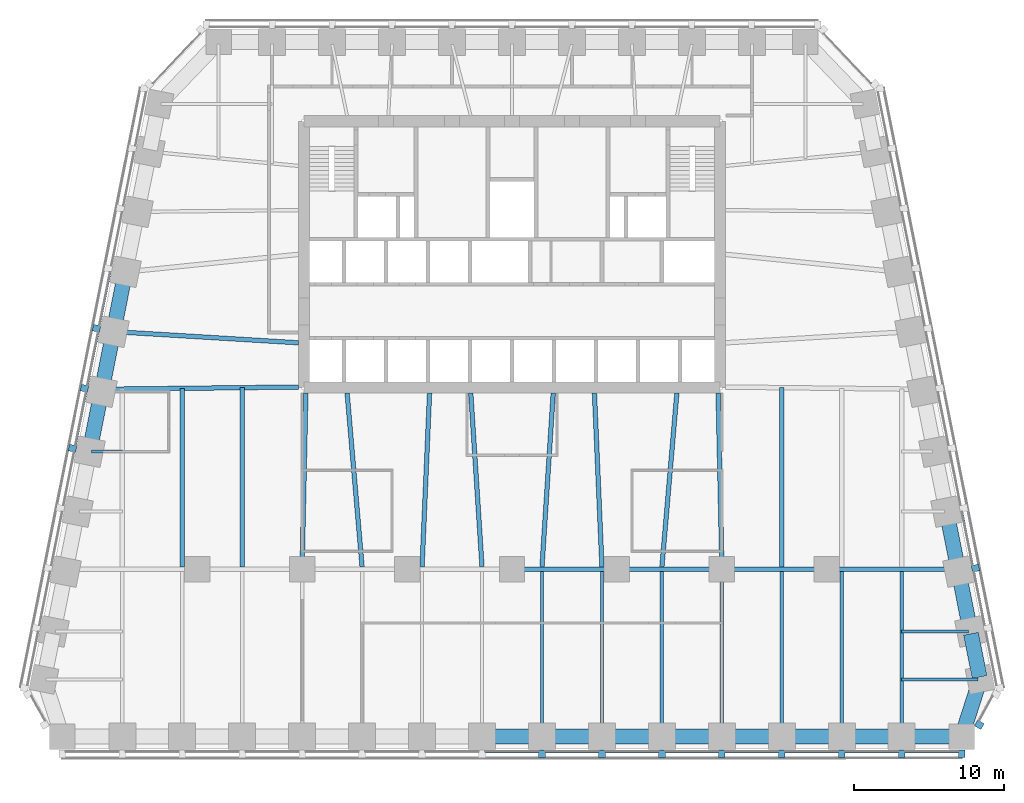
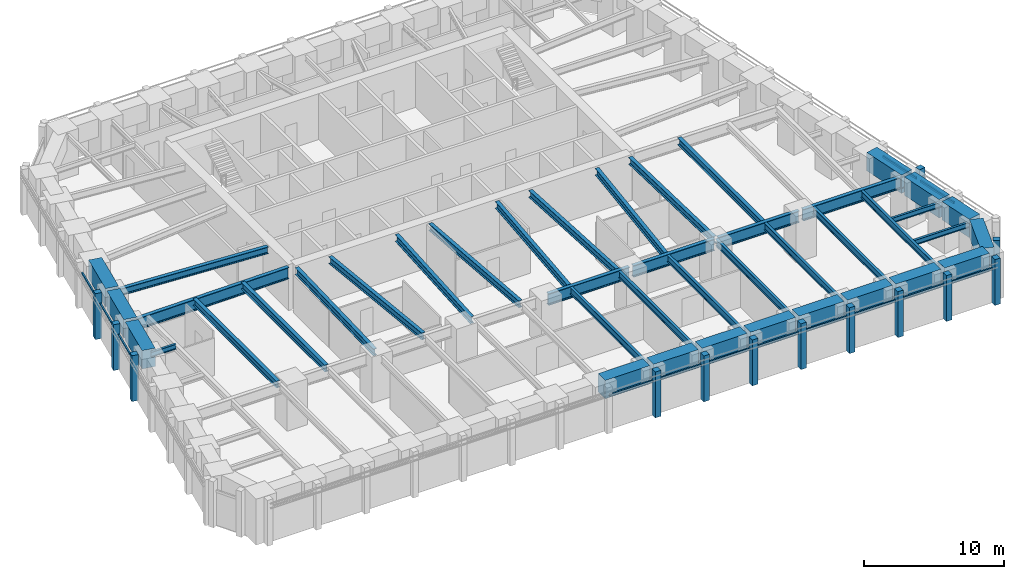
# One storey, part 2 of 9: 42 beams, 26 members, 4 elements without a shape of their own.
"""IFC4 building model written with IfcOpenShell, lengths in metres."""

from ifc_helpers import new_model, si_unit, direction, frame, origin, origin_2d, place, context, subcontext, project, spatial, rectangle, i_section, extrude, material, material_profile, profile_set, type_object, element, aggregate, save


model = new_model("IFC4")

# Units and contexts
model_context = context("Model", 3, precision=1e-05, world=origin(), true_north=direction((0.0, 1.0)))
body_context = subcontext(model_context, "Body", "Model", "MODEL_VIEW")
ifc_project = project(units=[si_unit("LENGTHUNIT", "METRE"), si_unit("AREAUNIT", "SQUARE_METRE"), si_unit("VOLUMEUNIT", "CUBIC_METRE"), si_unit("PLANEANGLEUNIT", "RADIAN"), si_unit("MASSUNIT", "GRAM", prefix="KILO")], contexts=[model_context])

# Site, building, storey
site_placement = place(None, origin())
site = spatial("IfcSite", under=ifc_project, at=site_placement, CompositionType="ELEMENT")
building_placement = place(site_placement, origin())
building = spatial("IfcBuilding", under=site, at=building_placement, Name="Isbrekke Arena Tower", CompositionType="ELEMENT")
storey_placement = place(building_placement, frame((0.0, 0.0, 135.0)))
storey = spatial("IfcBuildingStorey", under=building, at=storey_placement, Name="L30", CompositionType="ELEMENT", Elevation=135.0)

# Beams
ifc_material_1 = material(Name="Steel S355", Category="steel")
ifc_material_profile_1 = material_profile(ifc_material_1, i_section(OverallWidth=0.219970703125, OverallDepth=0.60009765625, WebThickness=0.011962890625, FlangeThickness=0.01904296875, FilletRadius=0.02392578125, at=origin_2d()), Name="IPE 600")
ifc_profile_set_1 = profile_set([ifc_material_profile_1], Name="Steel S355")
beam_type_1 = type_object("IfcBeamType", Name="B1 IPE 600", PredefinedType="BEAM", material=ifc_profile_set_1)
for number, where, z_axis, x_axis, name in (
    (1, (2.0, -17.02490234375, 3.550048828125), (0.0, 1.0, 0.0), (-1.0, 0.0, 0.0), "B1 beam S-S09 L30"),
    (2, (6.0, -17.02490234375, 3.550048828125), (0.0, 1.0, 0.0), (-1.0, 0.0, 0.0), "B1 beam S-S10 L30"),
    (3, (10.0, -17.02490234375, 3.550048828125), (0.0, 1.0, 0.0), (-1.0, 0.0, 0.0), "B1 beam S-S11 L30"),
):
    element("IfcBeam", number, at=place(storey_placement, frame(where, z_axis=z_axis, x_axis=x_axis)), inside=storey, type_object=beam_type_1, Name=name, PredefinedType="BEAM", context=body_context, shape_type="SweptSolid", body=[
        extrude(i_section(OverallWidth=0.219970703125, OverallDepth=0.60009765625, WebThickness=0.011962890625, FlangeThickness=0.01904296875, FilletRadius=0.02392578125, at=origin_2d()), origin(), (0.0, 0.0, 1.0), 10.8740234375),
    ])
beam_1_placement = place(storey_placement, frame((14.0, -17.02490234375, 3.550048828125), z_axis=(0.0, 1.0, 0.0), x_axis=(-1.0, 0.0, 0.0)))
element("IfcBeam", 4, at=beam_1_placement, inside=storey, type_object=beam_type_1, Name="B1 beam S-S12 L30", PredefinedType="BEAM", context=body_context, shape_type="SweptSolid", body=[
    extrude(i_section(OverallWidth=0.219970703125, OverallDepth=0.60009765625, WebThickness=0.011962890625, FlangeThickness=0.01904296875, FilletRadius=0.02392578125, at=origin_2d()), origin(), (0.0, 0.0, 1.0), 10.875),
])
for number, where, z_axis, x_axis, name in (
    (5, (18.0, -17.02490234375, 3.550048828125), (0.0, 1.0, 0.0), (-1.0, 0.0, 0.0), "B1 beam S-S13 L30"),
    (6, (22.0, -17.02490234375, 3.550048828125), (0.0, 1.0, 0.0), (-1.0, 0.0, 0.0), "B1 beam S-S14 L30"),
    (7, (26.0, -17.02490234375, 3.550048828125), (0.0, 1.0, 0.0), (-1.0, 0.0, 0.0), "B1 beam S-S15 L30"),
):
    element("IfcBeam", number, at=place(storey_placement, frame(where, z_axis=z_axis, x_axis=x_axis)), inside=storey, type_object=beam_type_1, Name=name, PredefinedType="BEAM", context=body_context, shape_type="SweptSolid", body=[
        extrude(i_section(OverallWidth=0.219970703125, OverallDepth=0.60009765625, WebThickness=0.011962890625, FlangeThickness=0.01904296875, FilletRadius=0.02392578125, at=origin_2d()), origin(), (0.0, 0.0, 1.0), 10.8740234375),
    ])
ifc_material_2 = material(Name="Steel S355", Category="steel")
ifc_material_profile_2 = material_profile(ifc_material_2, i_section(OverallWidth=0.18994140625, OverallDepth=0.449951171875, WebThickness=0.009521484375, FlangeThickness=0.0146484375, FilletRadius=0.02099609375, at=origin_2d()), Name="IPE 450")
ifc_profile_set_2 = profile_set([ifc_material_profile_2], Name="Steel S355")
beam_type_2 = type_object("IfcBeamType", Name="B2 IPE 450", PredefinedType="BEAM", material=ifc_profile_set_2)
beam_2_placement = place(storey_placement, frame((31.079345703125, -13.352783203125, 3.625), z_axis=(-1.0, 0.0, 0.0), x_axis=(0.0, -1.0, 0.0)))
element("IfcBeam", 8, at=beam_2_placement, inside=storey, type_object=beam_type_2, Name="B2 beam E-E01 L30", PredefinedType="BEAM", context=body_context, shape_type="SweptSolid", body=[
    extrude(i_section(OverallWidth=0.18994140625, OverallDepth=0.449951171875, WebThickness=0.009521484375, FlangeThickness=0.0146484375, FilletRadius=0.02099609375, at=origin_2d()), origin(), (0.0, 0.0, 1.0), 5.079345703125),
])
beam_3_placement = place(storey_placement, frame((30.44091796875, -10.161865234375, 3.625), z_axis=(-1.0, 0.0, 0.0), x_axis=(0.0, -1.0, 0.0)))
element("IfcBeam", 9, at=beam_3_placement, inside=storey, type_object=beam_type_2, Name="B2 beam E-E02 L30", PredefinedType="BEAM", context=body_context, shape_type="SweptSolid", body=[
    extrude(i_section(OverallWidth=0.18994140625, OverallDepth=0.449951171875, WebThickness=0.009521484375, FlangeThickness=0.0146484375, FilletRadius=0.02099609375, at=origin_2d()), origin(), (0.0, 0.0, 1.0), 4.44091796875),
])
beam_4_placement = place(storey_placement, frame((-28.041015625, 1.838134765625, 3.625), z_axis=(1.0, 0.0, 0.0), x_axis=(0.0, 1.0, 0.0)))
element("IfcBeam", 10, at=beam_4_placement, inside=storey, type_object=beam_type_2, Name="B2 beam E-W07 L30", PredefinedType="BEAM", context=body_context, shape_type="SweptSolid", body=[
    extrude(i_section(OverallWidth=0.18994140625, OverallDepth=0.449951171875, WebThickness=0.009521484375, FlangeThickness=0.0146484375, FilletRadius=0.02099609375, at=origin_2d()), origin(), (0.0, 0.0, 1.0), 2.041015625),
])
ifc_material_3 = material(Name="Steel S355", Category="steel")
ifc_material_profile_3 = material_profile(ifc_material_3, i_section(OverallWidth=0.300048828125, OverallDepth=0.60009765625, WebThickness=0.015380859375, FlangeThickness=0.030029296875, FilletRadius=0.027099609375, at=origin_2d()), Name="HEB 600")
ifc_profile_set_3 = profile_set([ifc_material_profile_3], Name="Steel S355")
beam_type_3 = type_object("IfcBeamType", Name="B7 HEB 600", PredefinedType="BEAM", material=ifc_profile_set_3)
beam_5_placement = place(storey_placement, frame((-22.0, -5.84912109375, 3.550048828125), z_axis=(0.0, 1.0, 0.0), x_axis=(-1.0, 0.0, 0.0)))
element("IfcBeam", 11, at=beam_5_placement, inside=storey, type_object=beam_type_3, Name="B7 beam C-M02 L30", PredefinedType="BEAM", context=body_context, shape_type="SweptSolid", body=[
    extrude(i_section(OverallWidth=0.300048828125, OverallDepth=0.60009765625, WebThickness=0.015380859375, FlangeThickness=0.030029296875, FilletRadius=0.027099609375, at=origin_2d()), origin(), (0.0, 0.0, 1.0), 11.91064453125),
])
beam_6_placement = place(storey_placement, frame((-18.0, -5.84912109375, 3.550048828125), z_axis=(0.0, 1.0, 0.0), x_axis=(-1.0, 0.0, 0.0)))
element("IfcBeam", 12, at=beam_6_placement, inside=storey, type_object=beam_type_3, Name="B7 beam C-M03 L30", PredefinedType="BEAM", context=body_context, shape_type="SweptSolid", body=[
    extrude(i_section(OverallWidth=0.300048828125, OverallDepth=0.60009765625, WebThickness=0.015380859375, FlangeThickness=0.030029296875, FilletRadius=0.027099609375, at=origin_2d()), origin(), (0.0, 0.0, 1.0), 11.956298828125),
])
beam_7_placement = place(storey_placement, frame((-14.0, -5.8466796875, 3.550048828125), z_axis=(0.021552887044, 0.999767709551, 0.0), x_axis=(-0.999767709551, 0.021552887044, 0.0)))
element("IfcBeam", 13, at=beam_7_placement, inside=storey, type_object=beam_type_3, Name="B7 beam C-M04 L30", PredefinedType="BEAM", context=body_context, shape_type="SweptSolid", body=[
    extrude(i_section(OverallWidth=0.300048828125, OverallDepth=0.60009765625, WebThickness=0.015380859375, FlangeThickness=0.030029296875, FilletRadius=0.027099609375, at=origin_2d()), origin(), (0.0, 0.0, 1.0), 11.599365234375),
])
beam_8_placement = place(storey_placement, frame((-10.001220703125, -5.836181640625, 3.550048828125), z_axis=(-0.085885827104, 0.996304985786, 0.0), x_axis=(-0.996304985786, -0.085885827104, 0.0)))
element("IfcBeam", 14, at=beam_8_placement, inside=storey, type_object=beam_type_3, Name="B7 beam C-M05 L30", PredefinedType="BEAM", context=body_context, shape_type="SweptSolid", body=[
    extrude(i_section(OverallWidth=0.300048828125, OverallDepth=0.60009765625, WebThickness=0.015380859375, FlangeThickness=0.030029296875, FilletRadius=0.027099609375, at=origin_2d()), origin(), (0.0, 0.0, 1.0), 11.629150390625),
])
beam_9_placement = place(storey_placement, frame((-5.999755859375, -5.842529296875, 3.550048828125), z_axis=(0.043070161667, 0.999072050041, 0.0), x_axis=(-0.999072050041, 0.043070161667, 0.0)))
element("IfcBeam", 15, at=beam_9_placement, inside=storey, type_object=beam_type_3, Name="B7 beam C-M06 L30", PredefinedType="BEAM", context=body_context, shape_type="SweptSolid", body=[
    extrude(i_section(OverallWidth=0.300048828125, OverallDepth=0.60009765625, WebThickness=0.015380859375, FlangeThickness=0.030029296875, FilletRadius=0.027099609375, at=origin_2d()), origin(), (0.0, 0.0, 1.0), 11.603271484375),
])
for number, where, z_axis, x_axis, name in (
    (16, (-2.000732421875, -5.83935546875, 3.550048828125), (-0.064516666031, 0.997916629686, 0.0), (-0.997916629686, -0.064516666031, 0.0), "B7 beam C-M07 L30"),
    (17, (2.000732421875, -5.83935546875, 3.550048828125), (0.064516666031, 0.997916629686, 0.0), (-0.997916629686, 0.064516666031, 0.0), "B7 beam C-M08 L30"),
):
    element("IfcBeam", number, at=place(storey_placement, frame(where, z_axis=z_axis, x_axis=x_axis)), inside=storey, type_object=beam_type_3, Name=name, PredefinedType="BEAM", context=body_context, shape_type="SweptSolid", body=[
        extrude(i_section(OverallWidth=0.300048828125, OverallDepth=0.60009765625, WebThickness=0.015380859375, FlangeThickness=0.030029296875, FilletRadius=0.027099609375, at=origin_2d()), origin(), (0.0, 0.0, 1.0), 11.613525390625),
    ])
beam_10_placement = place(storey_placement, frame((5.999755859375, -5.842529296875, 3.550048828125), z_axis=(-0.043070161667, 0.999072050041, 0.0), x_axis=(-0.999072050041, -0.043070161667, 0.0)))
element("IfcBeam", 18, at=beam_10_placement, inside=storey, type_object=beam_type_3, Name="B7 beam C-M09 L30", PredefinedType="BEAM", context=body_context, shape_type="SweptSolid", body=[
    extrude(i_section(OverallWidth=0.300048828125, OverallDepth=0.60009765625, WebThickness=0.015380859375, FlangeThickness=0.030029296875, FilletRadius=0.027099609375, at=origin_2d()), origin(), (0.0, 0.0, 1.0), 11.603271484375),
])
beam_11_placement = place(storey_placement, frame((10.001220703125, -5.836181640625, 3.550048828125), z_axis=(0.085885827104, 0.996304985786, 0.0), x_axis=(-0.996304985786, 0.085885827104, 0.0)))
element("IfcBeam", 19, at=beam_11_placement, inside=storey, type_object=beam_type_3, Name="B7 beam C-M10 L30", PredefinedType="BEAM", context=body_context, shape_type="SweptSolid", body=[
    extrude(i_section(OverallWidth=0.300048828125, OverallDepth=0.60009765625, WebThickness=0.015380859375, FlangeThickness=0.030029296875, FilletRadius=0.027099609375, at=origin_2d()), origin(), (0.0, 0.0, 1.0), 11.629150390625),
])
beam_12_placement = place(storey_placement, frame((14.0, -5.8466796875, 3.550048828125), z_axis=(-0.021552887044, 0.999767709551, 0.0), x_axis=(-0.999767709551, -0.021552887044, 0.0)))
element("IfcBeam", 20, at=beam_12_placement, inside=storey, type_object=beam_type_3, Name="B7 beam C-M11 L30", PredefinedType="BEAM", context=body_context, shape_type="SweptSolid", body=[
    extrude(i_section(OverallWidth=0.300048828125, OverallDepth=0.60009765625, WebThickness=0.015380859375, FlangeThickness=0.030029296875, FilletRadius=0.027099609375, at=origin_2d()), origin(), (0.0, 0.0, 1.0), 11.599365234375),
])
beam_13_placement = place(storey_placement, frame((18.0, -5.84912109375, 3.550048828125), z_axis=(0.0, 1.0, 0.0), x_axis=(-1.0, 0.0, 0.0)))
element("IfcBeam", 21, at=beam_13_placement, inside=storey, type_object=beam_type_3, Name="B7 beam C-M12 L30", PredefinedType="BEAM", context=body_context, shape_type="SweptSolid", body=[
    extrude(i_section(OverallWidth=0.300048828125, OverallDepth=0.60009765625, WebThickness=0.015380859375, FlangeThickness=0.030029296875, FilletRadius=0.027099609375, at=origin_2d()), origin(), (0.0, 0.0, 1.0), 11.956298828125),
])
beam_14_placement = place(storey_placement, frame((-26.431884765625, 9.837646484375, 3.550048828125), z_axis=(0.998172191876, -0.060434057993, 0.0), x_axis=(0.060434057993, 0.998172191876, 0.0)))
element("IfcBeam", 22, at=beam_14_placement, inside=storey, type_object=beam_type_3, Name="B7 beam E-W05 L30", PredefinedType="BEAM", context=body_context, shape_type="SweptSolid", body=[
    extrude(i_section(OverallWidth=0.300048828125, OverallDepth=0.60009765625, WebThickness=0.015380859375, FlangeThickness=0.030029296875, FilletRadius=0.027099609375, at=origin_2d()), origin(), (0.0, 0.0, 1.0), 12.2041015625),
])

# Curtain wall, members
ifc_material_4 = material(Name="Glazed aluminium curtain wall", Category="aluminium")
curtain_wall_type = type_object("IfcCurtainWallType", Name="CWM TOWER CURTAIN WALL MID ZONE", PredefinedType="USERDEFINED", material=ifc_material_4)
curtain_wall_1_placement = place(storey_placement, origin())
curtain_wall_1 = element("IfcCurtainWall", 23, at=curtain_wall_1_placement, inside=storey, type_object=curtain_wall_type, Name="CWM curtain wall L30-S", ObjectType="TOWER CURTAIN WALL MID ZONE", PredefinedType="USERDEFINED")
ifc_material_5 = material(Name="Aluminium mullion, pale brick slip cladding", Category="masonry")
ifc_material_profile_4 = material_profile(ifc_material_5, rectangle(XDim=0.449951171875, YDim=0.5, at=origin_2d()), Name="PIER 450X500")
ifc_profile_set_4 = profile_set([ifc_material_profile_4], Name="Aluminium mullion, pale brick slip cladding")
member_type_1 = type_object("IfcMemberType", Name="CWM-M PIER MULLION 450 x 500", PredefinedType="MULLION", material=ifc_profile_set_4)
member_1_placement = place(storey_placement, frame((2.0, -18.324951171875, 0.0), z_axis=(0.0, 0.0, 1.0), x_axis=(1.0, 0.0, 0.0)))
member_1 = element("IfcMember", 24, at=member_1_placement, type_object=member_type_1, Name="CWM-M mullion 9", PredefinedType="MULLION", context=body_context, shape_type="SweptSolid", body=[
    extrude(rectangle(XDim=0.449951171875, YDim=0.5, at=origin_2d()), origin(), (0.0, 0.0, 1.0), 4.0),
])
member_2_placement = place(storey_placement, frame((6.0, -18.324951171875, 0.0), z_axis=(0.0, 0.0, 1.0), x_axis=(1.0, 0.0, 0.0)))
member_2 = element("IfcMember", 25, at=member_2_placement, type_object=member_type_1, Name="CWM-M mullion 10", PredefinedType="MULLION", context=body_context, shape_type="SweptSolid", body=[
    extrude(rectangle(XDim=0.449951171875, YDim=0.5, at=origin_2d()), origin(), (0.0, 0.0, 1.0), 4.0),
])
member_3_placement = place(storey_placement, frame((10.0, -18.324951171875, 0.0), z_axis=(0.0, 0.0, 1.0), x_axis=(1.0, 0.0, 0.0)))
member_3 = element("IfcMember", 26, at=member_3_placement, type_object=member_type_1, Name="CWM-M mullion 11", PredefinedType="MULLION", context=body_context, shape_type="SweptSolid", body=[
    extrude(rectangle(XDim=0.449951171875, YDim=0.5, at=origin_2d()), origin(), (0.0, 0.0, 1.0), 4.0),
])
member_4_placement = place(storey_placement, frame((14.0, -18.324951171875, 0.0), z_axis=(0.0, 0.0, 1.0), x_axis=(1.0, 0.0, 0.0)))
member_4 = element("IfcMember", 27, at=member_4_placement, type_object=member_type_1, Name="CWM-M mullion 12", PredefinedType="MULLION", context=body_context, shape_type="SweptSolid", body=[
    extrude(rectangle(XDim=0.449951171875, YDim=0.5, at=origin_2d()), origin(), (0.0, 0.0, 1.0), 4.0),
])
member_5_placement = place(storey_placement, frame((18.0, -18.324951171875, 0.0), z_axis=(0.0, 0.0, 1.0), x_axis=(1.0, 0.0, 0.0)))
member_5 = element("IfcMember", 28, at=member_5_placement, type_object=member_type_1, Name="CWM-M mullion 13", PredefinedType="MULLION", context=body_context, shape_type="SweptSolid", body=[
    extrude(rectangle(XDim=0.449951171875, YDim=0.5, at=origin_2d()), origin(), (0.0, 0.0, 1.0), 4.0),
])
member_6_placement = place(storey_placement, frame((22.0, -18.324951171875, 0.0), z_axis=(0.0, 0.0, 1.0), x_axis=(1.0, 0.0, 0.0)))
member_6 = element("IfcMember", 29, at=member_6_placement, type_object=member_type_1, Name="CWM-M mullion 14", PredefinedType="MULLION", context=body_context, shape_type="SweptSolid", body=[
    extrude(rectangle(XDim=0.449951171875, YDim=0.5, at=origin_2d()), origin(), (0.0, 0.0, 1.0), 4.0),
])
member_7_placement = place(storey_placement, frame((26.0, -18.324951171875, 0.0), z_axis=(0.0, 0.0, 1.0), x_axis=(1.0, 0.0, 0.0)))
member_7 = element("IfcMember", 30, at=member_7_placement, type_object=member_type_1, Name="CWM-M mullion 15", PredefinedType="MULLION", context=body_context, shape_type="SweptSolid", body=[
    extrude(rectangle(XDim=0.449951171875, YDim=0.5, at=origin_2d()), origin(), (0.0, 0.0, 1.0), 4.0),
])
member_8_placement = place(storey_placement, frame((30.0, -18.324951171875, 0.0), z_axis=(0.0, 0.0, 1.0), x_axis=(1.0, 0.0, 0.0)))
member_8 = element("IfcMember", 31, at=member_8_placement, type_object=member_type_1, Name="CWM-M mullion 16", PredefinedType="MULLION", context=body_context, shape_type="SweptSolid", body=[
    extrude(rectangle(XDim=0.449951171875, YDim=0.5, at=origin_2d()), origin(), (0.0, 0.0, 1.0), 4.0),
])

# Curtain wall, member
curtain_wall_2_placement = place(storey_placement, origin())
curtain_wall_2 = element("IfcCurtainWall", 32, at=curtain_wall_2_placement, inside=storey, type_object=curtain_wall_type, Name="CWM curtain wall L30-SE", ObjectType="TOWER CURTAIN WALL MID ZONE", PredefinedType="USERDEFINED")
member_9_placement = place(storey_placement, frame((31.17529296875, -16.382080078125, 0.0), z_axis=(0.0, 0.0, 1.0), x_axis=(0.481918749773, 0.876215908676, 0.0)))
member_9 = element("IfcMember", 33, at=member_9_placement, type_object=member_type_1, Name="CWM-M mullion 1", PredefinedType="MULLION", context=body_context, shape_type="SweptSolid", body=[
    extrude(rectangle(XDim=0.449951171875, YDim=0.5, at=origin_2d()), origin(), (0.0, 0.0, 1.0), 4.0),
])
aggregate(curtain_wall_2, [member_9])

curtain_wall_3_placement = place(storey_placement, origin())
curtain_wall_3 = element("IfcCurtainWall", 34, at=curtain_wall_3_placement, inside=storey, type_object=curtain_wall_type, Name="CWM curtain wall L30-E", ObjectType="TOWER CURTAIN WALL MID ZONE", PredefinedType="USERDEFINED")
member_10_placement = place(storey_placement, frame((30.918701171875, -5.936279296875, 0.0), z_axis=(0.0, 0.0, 1.0), x_axis=(-0.196116135138, 0.980580675691, 0.0)))
member_10 = element("IfcMember", 35, at=member_10_placement, type_object=member_type_1, Name="CWM-M mullion 3", PredefinedType="MULLION", context=body_context, shape_type="SweptSolid", body=[
    extrude(rectangle(XDim=0.449951171875, YDim=0.5, at=origin_2d()), origin(), (0.0, 0.0, 1.0), 4.0),
])

# Curtain wall, members
curtain_wall_4_placement = place(storey_placement, origin())
curtain_wall_4 = element("IfcCurtainWall", 36, at=curtain_wall_4_placement, inside=storey, type_object=curtain_wall_type, Name="CWM curtain wall L30-W", ObjectType="TOWER CURTAIN WALL MID ZONE", PredefinedType="USERDEFINED")
member_11_placement = place(storey_placement, frame((-27.71875, 10.063720703125, 0.0), z_axis=(0.0, 0.0, 1.0), x_axis=(-0.196116135138, -0.980580675691, 0.0)))
member_11 = element("IfcMember", 37, at=member_11_placement, type_object=member_type_1, Name="CWM-M mullion 5", PredefinedType="MULLION", context=body_context, shape_type="SweptSolid", body=[
    extrude(rectangle(XDim=0.449951171875, YDim=0.5, at=origin_2d()), origin(), (0.0, 0.0, 1.0), 4.0),
])
member_12_placement = place(storey_placement, frame((-28.518798828125, 6.063720703125, 0.0), z_axis=(0.0, 0.0, 1.0), x_axis=(-0.196116135138, -0.980580675691, 0.0)))
member_12 = element("IfcMember", 38, at=member_12_placement, type_object=member_type_1, Name="CWM-M mullion 6", PredefinedType="MULLION", context=body_context, shape_type="SweptSolid", body=[
    extrude(rectangle(XDim=0.449951171875, YDim=0.5, at=origin_2d()), origin(), (0.0, 0.0, 1.0), 4.0),
])
member_13_placement = place(storey_placement, frame((-29.318603515625, 2.063720703125, 0.0), z_axis=(0.0, 0.0, 1.0), x_axis=(-0.196116135138, -0.980580675691, 0.0)))
member_13 = element("IfcMember", 39, at=member_13_placement, type_object=member_type_1, Name="CWM-M mullion 7", PredefinedType="MULLION", context=body_context, shape_type="SweptSolid", body=[
    extrude(rectangle(XDim=0.449951171875, YDim=0.5, at=origin_2d()), origin(), (0.0, 0.0, 1.0), 4.0),
])

# Member
ifc_material_6 = material(Name="Aluminium transom", Category="aluminium")
ifc_material_profile_5 = material_profile(ifc_material_6, rectangle(XDim=0.1201171875, YDim=0.199951171875, at=origin_2d()), Name="TRANSOM 120X200")
ifc_profile_set_5 = profile_set([ifc_material_profile_5], Name="Aluminium transom")
member_type_2 = type_object("IfcMemberType", Name="CWM-T TRANSOM 120 x 200", PredefinedType="USERDEFINED", material=ifc_profile_set_5)
member_14_placement = place(storey_placement, frame((-1.77490234375, -18.175048828125, 3.0), z_axis=(1.0, 0.0, 0.0), x_axis=(0.0, 1.0, 0.0)))
member_14 = element("IfcMember", 40, at=member_14_placement, type_object=member_type_2, Name="CWM-T transom 8", ObjectType="TRANSOM", PredefinedType="USERDEFINED", context=body_context, shape_type="SweptSolid", body=[
    extrude(rectangle(XDim=0.1201171875, YDim=0.199951171875, at=origin_2d()), origin(), (0.0, 0.0, 1.0), 3.5498046875),
])

member_15_placement = place(storey_placement, frame((2.22509765625, -18.175048828125, 3.0), z_axis=(1.0, 0.0, 0.0), x_axis=(0.0, 1.0, 0.0)))
member_15 = element("IfcMember", 41, at=member_15_placement, type_object=member_type_2, Name="CWM-T transom 9", ObjectType="TRANSOM", PredefinedType="USERDEFINED", context=body_context, shape_type="SweptSolid", body=[
    extrude(rectangle(XDim=0.1201171875, YDim=0.199951171875, at=origin_2d()), origin(), (0.0, 0.0, 1.0), 3.5498046875),
])

member_16_placement = place(storey_placement, frame((6.22509765625, -18.175048828125, 3.0), z_axis=(1.0, 0.0, 0.0), x_axis=(0.0, 1.0, 0.0)))
member_16 = element("IfcMember", 42, at=member_16_placement, type_object=member_type_2, Name="CWM-T transom 10", ObjectType="TRANSOM", PredefinedType="USERDEFINED", context=body_context, shape_type="SweptSolid", body=[
    extrude(rectangle(XDim=0.1201171875, YDim=0.199951171875, at=origin_2d()), origin(), (0.0, 0.0, 1.0), 3.5498046875),
])

member_17_placement = place(storey_placement, frame((10.22509765625, -18.175048828125, 3.0), z_axis=(1.0, 0.0, 0.0), x_axis=(0.0, 1.0, 0.0)))
member_17 = element("IfcMember", 43, at=member_17_placement, type_object=member_type_2, Name="CWM-T transom 11", ObjectType="TRANSOM", PredefinedType="USERDEFINED", context=body_context, shape_type="SweptSolid", body=[
    extrude(rectangle(XDim=0.1201171875, YDim=0.199951171875, at=origin_2d()), origin(), (0.0, 0.0, 1.0), 3.5498046875),
])

member_18_placement = place(storey_placement, frame((14.22509765625, -18.175048828125, 3.0), z_axis=(1.0, 0.0, 0.0), x_axis=(0.0, 1.0, 0.0)))
member_18 = element("IfcMember", 44, at=member_18_placement, type_object=member_type_2, Name="CWM-T transom 12", ObjectType="TRANSOM", PredefinedType="USERDEFINED", context=body_context, shape_type="SweptSolid", body=[
    extrude(rectangle(XDim=0.1201171875, YDim=0.199951171875, at=origin_2d()), origin(), (0.0, 0.0, 1.0), 3.5498046875),
])

member_19_placement = place(storey_placement, frame((18.22509765625, -18.175048828125, 3.0), z_axis=(1.0, 0.0, 0.0), x_axis=(0.0, 1.0, 0.0)))
member_19 = element("IfcMember", 45, at=member_19_placement, type_object=member_type_2, Name="CWM-T transom 13", ObjectType="TRANSOM", PredefinedType="USERDEFINED", context=body_context, shape_type="SweptSolid", body=[
    extrude(rectangle(XDim=0.1201171875, YDim=0.199951171875, at=origin_2d()), origin(), (0.0, 0.0, 1.0), 3.5498046875),
])

member_20_placement = place(storey_placement, frame((22.22509765625, -18.175048828125, 3.0), z_axis=(1.0, 0.0, 0.0), x_axis=(0.0, 1.0, 0.0)))
member_20 = element("IfcMember", 46, at=member_20_placement, type_object=member_type_2, Name="CWM-T transom 14", ObjectType="TRANSOM", PredefinedType="USERDEFINED", context=body_context, shape_type="SweptSolid", body=[
    extrude(rectangle(XDim=0.1201171875, YDim=0.199951171875, at=origin_2d()), origin(), (0.0, 0.0, 1.0), 3.5498046875),
])

member_21_placement = place(storey_placement, frame((26.22509765625, -18.175048828125, 3.0), z_axis=(1.0, 0.0, 0.0), x_axis=(0.0, 1.0, 0.0)))
member_21 = element("IfcMember", 47, at=member_21_placement, type_object=member_type_2, Name="CWM-T transom 15", ObjectType="TRANSOM", PredefinedType="USERDEFINED", context=body_context, shape_type="SweptSolid", body=[
    extrude(rectangle(XDim=0.1201171875, YDim=0.199951171875, at=origin_2d()), origin(), (0.0, 0.0, 1.0), 3.5498046875),
])

aggregate(curtain_wall_1, [member_1, member_2, member_3, member_4, member_5, member_6, member_7, member_8, member_14, member_15, member_16, member_17, member_18, member_19, member_20, member_21])

member_22_placement = place(storey_placement, frame((31.527587890625, -9.7451171875, 3.0), z_axis=(-0.196154943734, 0.980572913173, 0.0), x_axis=(-0.980572913173, -0.196154943734, 0.0)))
member_22 = element("IfcMember", 48, at=member_22_placement, type_object=member_type_2, Name="CWM-T transom 2", ObjectType="TRANSOM", PredefinedType="USERDEFINED", context=body_context, shape_type="SweptSolid", body=[
    extrude(rectangle(XDim=0.1201171875, YDim=0.199951171875, at=origin_2d()), origin(), (0.0, 0.0, 1.0), 3.62939453125),
])

member_23_placement = place(storey_placement, frame((30.7275390625, -5.7451171875, 3.0), z_axis=(-0.196154943734, 0.980572913173, 0.0), x_axis=(-0.980572913173, -0.196154943734, 0.0)))
member_23 = element("IfcMember", 49, at=member_23_placement, type_object=member_type_2, Name="CWM-T transom 3", ObjectType="TRANSOM", PredefinedType="USERDEFINED", context=body_context, shape_type="SweptSolid", body=[
    extrude(rectangle(XDim=0.1201171875, YDim=0.199951171875, at=origin_2d()), origin(), (0.0, 0.0, 1.0), 3.62939453125),
])

aggregate(curtain_wall_3, [member_10, member_22, member_23])

member_24_placement = place(storey_placement, frame((-26.815673828125, 13.813720703125, 3.0), z_axis=(-0.196154943734, -0.980572913173, 0.0), x_axis=(0.980572913173, -0.196154943734, 0.0)))
member_24 = element("IfcMember", 50, at=member_24_placement, type_object=member_type_2, Name="CWM-T transom 4", ObjectType="TRANSOM", PredefinedType="USERDEFINED", context=body_context, shape_type="SweptSolid", body=[
    extrude(rectangle(XDim=0.1201171875, YDim=0.199951171875, at=origin_2d()), origin(), (0.0, 0.0, 1.0), 3.62939453125),
])

member_25_placement = place(storey_placement, frame((-27.61572265625, 9.813720703125, 3.0), z_axis=(-0.196090262229, -0.980585849918, 0.0), x_axis=(0.980585849918, -0.196090262229, 0.0)))
member_25 = element("IfcMember", 51, at=member_25_placement, type_object=member_type_2, Name="CWM-T transom 5", ObjectType="TRANSOM", PredefinedType="USERDEFINED", context=body_context, shape_type="SweptSolid", body=[
    extrude(rectangle(XDim=0.1201171875, YDim=0.199951171875, at=origin_2d()), origin(), (0.0, 0.0, 1.0), 3.62939453125),
])

member_26_placement = place(storey_placement, frame((-28.415771484375, 5.813720703125, 3.0), z_axis=(-0.196090262229, -0.980585849918, 0.0), x_axis=(0.980585849918, -0.196090262229, 0.0)))
member_26 = element("IfcMember", 52, at=member_26_placement, type_object=member_type_2, Name="CWM-T transom 6", ObjectType="TRANSOM", PredefinedType="USERDEFINED", context=body_context, shape_type="SweptSolid", body=[
    extrude(rectangle(XDim=0.1201171875, YDim=0.199951171875, at=origin_2d()), origin(), (0.0, 0.0, 1.0), 3.62939453125),
])

aggregate(curtain_wall_4, [member_11, member_12, member_13, member_24, member_25, member_26])

# Beams
ifc_material_7 = material(Name="Steel S355", Category="steel")
ifc_material_profile_6 = material_profile(ifc_material_7, i_section(OverallWidth=0.302001953125, OverallDepth=1.008056640625, WebThickness=0.02099609375, FlangeThickness=0.0400390625, FilletRadius=0.030029296875, at=origin_2d()), Name="HEM 1000")
ifc_profile_set_6 = profile_set([ifc_material_profile_6], Name="Steel S355")
beam_type_4 = type_object("IfcBeamType", Name="G1 HEM 1000", PredefinedType="BEAM", material=ifc_profile_set_6)
for number, where, z_axis, x_axis, name in (
    (53, (0.14990234375, -6.0, 3.345947265625), (1.0, 0.0, 0.0), (0.0, 1.0, 0.0), "G1 beam G1-05 L30"),
    (54, (7.14990234375, -6.0, 3.345947265625), (1.0, 0.0, 0.0), (0.0, 1.0, 0.0), "G1 beam G1-06 L30"),
    (55, (14.14990234375, -6.0, 3.345947265625), (1.0, 0.0, 0.0), (0.0, 1.0, 0.0), "G1 beam G1-07 L30"),
):
    element("IfcBeam", number, at=place(storey_placement, frame(where, z_axis=z_axis, x_axis=x_axis)), inside=storey, type_object=beam_type_4, Name=name, PredefinedType="BEAM", context=body_context, shape_type="SweptSolid", body=[
        extrude(i_section(OverallWidth=0.302001953125, OverallDepth=1.008056640625, WebThickness=0.02099609375, FlangeThickness=0.0400390625, FilletRadius=0.030029296875, at=origin_2d()), origin(), (0.0, 0.0, 1.0), 6.7001953125),
    ])
beam_15_placement = place(storey_placement, frame((21.14990234375, -6.0, 3.345947265625), z_axis=(1.0, 0.0, 0.0), x_axis=(0.0, 1.0, 0.0)))
element("IfcBeam", 56, at=beam_15_placement, inside=storey, type_object=beam_type_4, Name="G1 beam G1-08 L30", PredefinedType="BEAM", context=body_context, shape_type="SweptSolid", body=[
    extrude(i_section(OverallWidth=0.302001953125, OverallDepth=1.008056640625, WebThickness=0.02099609375, FlangeThickness=0.0400390625, FilletRadius=0.030029296875, at=origin_2d()), origin(), (0.0, 0.0, 1.0), 8.64111328125),
])
ifc_material_8 = material(Name="Steel S355", Category="steel")
ifc_material_profile_7 = material_profile(ifc_material_8, i_section(OverallWidth=0.302001953125, OverallDepth=1.008056640625, WebThickness=0.02099609375, FlangeThickness=0.0400390625, FilletRadius=0.030029296875, at=origin_2d()), Name="HEM 1000")
ifc_profile_set_7 = profile_set([ifc_material_profile_7], Name="Steel S355")
beam_type_5 = type_object("IfcBeamType", Name="G2 HEM 1000", PredefinedType="BEAM", material=ifc_profile_set_7)
beam_16_placement = place(storey_placement, frame((-14.25, 6.14990234375, 3.345947265625), z_axis=(-0.999934928157, -0.011407867963, 0.0), x_axis=(0.011407867963, -0.999934928157, 0.0)))
element("IfcBeam", 57, at=beam_16_placement, inside=storey, type_object=beam_type_5, Name="G2 beam G2-W L30", PredefinedType="BEAM", context=body_context, shape_type="SweptSolid", body=[
    extrude(i_section(OverallWidth=0.302001953125, OverallDepth=1.008056640625, WebThickness=0.02099609375, FlangeThickness=0.0400390625, FilletRadius=0.030029296875, at=origin_2d()), origin(), (0.0, 0.0, 1.0), 13.140380859375),
])
ifc_material_9 = material(Name="Concrete B80 (C80/95)", Category="concrete")
ifc_material_profile_8 = material_profile(ifc_material_9, rectangle(XDim=1.0, YDim=1.60009765625, at=origin_2d()), Name="RC 1000x1600")
ifc_profile_set_8 = profile_set([ifc_material_profile_8], Name="Concrete B80 (C80/95)")
beam_type_6 = type_object("IfcBeamType", Name="SB2 RC 1000 x 1600", PredefinedType="SPANDREL", material=ifc_profile_set_8)
for number, where, z_axis, x_axis, name in (
    (58, (-1.85009765625, -17.175048828125, 3.199951171875), (1.0, 0.0, 0.0), (0.0, 1.0, 0.0), "SB2 spandrel S08-S09 L30"),
    (59, (2.14990234375, -17.175048828125, 3.199951171875), (1.0, 0.0, 0.0), (0.0, 1.0, 0.0), "SB2 spandrel S09-S10 L30"),
    (60, (6.14990234375, -17.175048828125, 3.199951171875), (1.0, 0.0, 0.0), (0.0, 1.0, 0.0), "SB2 spandrel S10-S11 L30"),
    (61, (10.14990234375, -17.175048828125, 3.199951171875), (1.0, 0.0, 0.0), (0.0, 1.0, 0.0), "SB2 spandrel S11-S12 L30"),
    (62, (14.14990234375, -17.175048828125, 3.199951171875), (1.0, 0.0, 0.0), (0.0, 1.0, 0.0), "SB2 spandrel S12-S13 L30"),
    (63, (18.14990234375, -17.175048828125, 3.199951171875), (1.0, 0.0, 0.0), (0.0, 1.0, 0.0), "SB2 spandrel S13-S14 L30"),
    (64, (22.14990234375, -17.175048828125, 3.199951171875), (1.0, 0.0, 0.0), (0.0, 1.0, 0.0), "SB2 spandrel S14-S15 L30"),
    (65, (26.14990234375, -17.175048828125, 3.199951171875), (1.0, 0.0, 0.0), (0.0, 1.0, 0.0), "SB2 spandrel S15-S16 L30"),
):
    element("IfcBeam", number, at=place(storey_placement, frame(where, z_axis=z_axis, x_axis=x_axis)), inside=storey, type_object=beam_type_6, Name=name, PredefinedType="SPANDREL", context=body_context, shape_type="SweptSolid", body=[
        extrude(rectangle(XDim=1.0, YDim=1.60009765625, at=origin_2d()), origin(), (0.0, 0.0, 1.0), 3.7001953125),
    ])
beam_17_placement = place(storey_placement, frame((30.0458984375, -17.0322265625, 3.199951171875), z_axis=(0.306175101476, 0.951975213562, 0.0), x_axis=(-0.951975213562, 0.306175101476, 0.0)))
element("IfcBeam", 66, at=beam_17_placement, inside=storey, type_object=beam_type_6, Name="SB2 spandrel S16-E01 L30", PredefinedType="SPANDREL", context=body_context, shape_type="SweptSolid", body=[
    extrude(rectangle(XDim=1.0, YDim=1.60009765625, at=origin_2d()), origin(), (0.0, 0.0, 1.0), 3.715087890625),
])
beam_18_placement = place(storey_placement, frame((31.19970703125, -13.205810546875, 3.199951171875), z_axis=(-0.196100243168, 0.980583853951, 0.0), x_axis=(-0.980583853951, -0.196100243168, 0.0)))
element("IfcBeam", 67, at=beam_18_placement, inside=storey, type_object=beam_type_6, Name="SB2 spandrel E01-E02 L30", PredefinedType="SPANDREL", context=body_context, shape_type="SweptSolid", body=[
    extrude(rectangle(XDim=1.0, YDim=1.60009765625, at=origin_2d()), origin(), (0.0, 0.0, 1.0), 2.954345703125),
])
beam_19_placement = place(storey_placement, frame((30.5615234375, -10.0146484375, 3.199951171875), z_axis=(-0.1960664412, 0.980590613169, 0.0), x_axis=(-0.980590613169, -0.1960664412, 0.0)))
element("IfcBeam", 68, at=beam_19_placement, inside=storey, type_object=beam_type_6, Name="SB2 spandrel E02-E03 L30", PredefinedType="SPANDREL", context=body_context, shape_type="SweptSolid", body=[
    extrude(rectangle(XDim=1.0, YDim=1.60009765625, at=origin_2d()), origin(), (0.0, 0.0, 1.0), 3.779052734375),
])
beam_20_placement = place(storey_placement, frame((29.76171875, -6.0146484375, 3.199951171875), z_axis=(-0.196128558387, 0.980578190959, 0.0), x_axis=(-0.980578190959, -0.196128558387, 0.0)))
element("IfcBeam", 69, at=beam_20_placement, inside=storey, type_object=beam_type_6, Name="SB2 spandrel E03-E04 L30", PredefinedType="SPANDREL", context=body_context, shape_type="SweptSolid", body=[
    extrude(rectangle(XDim=1.0, YDim=1.60009765625, at=origin_2d()), origin(), (0.0, 0.0, 1.0), 3.779296875),
])
beam_21_placement = place(storey_placement, frame((-25.820556640625, 13.691162109375, 3.199951171875), z_axis=(-0.1960664412, -0.980590613169, 0.0), x_axis=(0.980590613169, -0.1960664412, 0.0)))
element("IfcBeam", 70, at=beam_21_placement, inside=storey, type_object=beam_type_6, Name="SB2 spandrel W04-W05 L30", PredefinedType="SPANDREL", context=body_context, shape_type="SweptSolid", body=[
    extrude(rectangle(XDim=1.0, YDim=1.60009765625, at=origin_2d()), origin(), (0.0, 0.0, 1.0), 3.779052734375),
])
for number, where, z_axis, x_axis, name in (
    (71, (-26.620361328125, 9.691162109375, 3.199951171875), (-0.196128558387, -0.980578190959, 0.0), (0.980578190959, -0.196128558387, 0.0), "SB2 spandrel W05-W06 L30"),
    (72, (-27.42041015625, 5.691162109375, 3.199951171875), (-0.196128558387, -0.980578190959, 0.0), (0.980578190959, -0.196128558387, 0.0), "SB2 spandrel W06-W07 L30"),
):
    element("IfcBeam", number, at=place(storey_placement, frame(where, z_axis=z_axis, x_axis=x_axis)), inside=storey, type_object=beam_type_6, Name=name, PredefinedType="SPANDREL", context=body_context, shape_type="SweptSolid", body=[
        extrude(rectangle(XDim=1.0, YDim=1.60009765625, at=origin_2d()), origin(), (0.0, 0.0, 1.0), 3.779296875),
    ])

save(model, "model.ifc")
